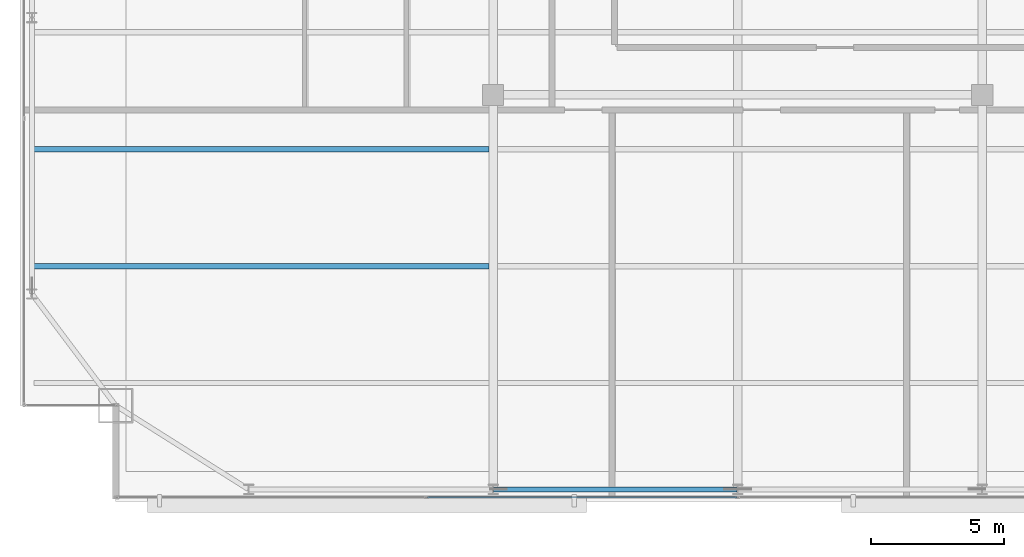
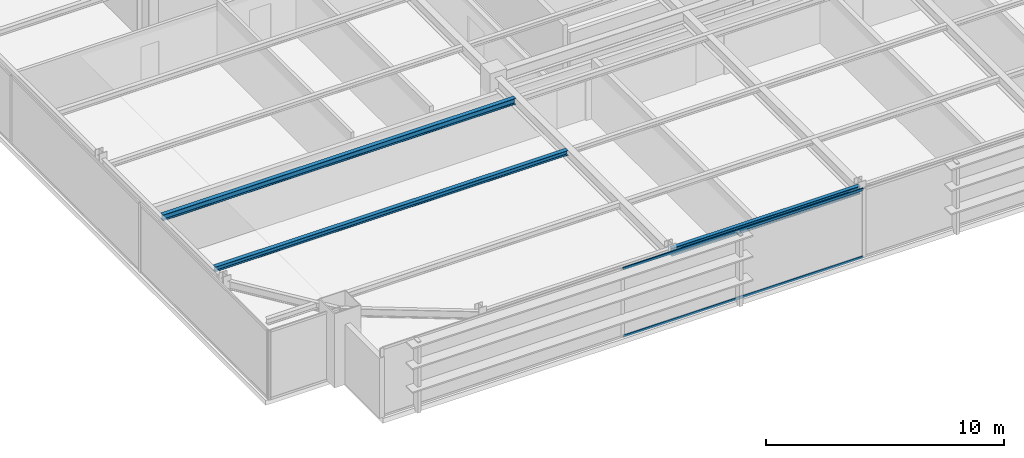
# One storey, part 8 of 29: 3 beams, 2 members, 1 element without a shape of its own.
"""IFC4 building model written with IfcOpenShell, lengths in metres."""

import ifcopenshell
import ifcopenshell.guid

model = None  # the IFC model being written
_history = None  # IfcOwnerHistory: only IFC2X3 demands one
_inside = {}  # id of a spatial element -> (the spatial element, [elements in it])
_under = {}  # id of a project, library or spatial element -> (it, [spatial elements below it])
_declared = {}  # id of a project -> (the project, [libraries it declares])
_typed = {}  # id of a type object -> (the type object, [elements of that type])
_made_of = {}  # id of a material, layer set ... -> (it, [elements and type objects made of it])


def new_model(schema):
    """Start an empty IFC model of exactly this schema.

    Asked for "IFC4X3", IfcOpenShell would pick the latest addendum, in which some entities
    have other attributes; the version numbers below select the first issue.
    IFC2X3 requires an IfcOwnerHistory on every rooted entity: one is made here for all.
    """
    global model, _history
    if schema == "IFC4X3":
        model = ifcopenshell.file(schema_version=(4, 3, 0, 0))
    else:
        model = ifcopenshell.file(schema=schema)
    _inside.clear()
    _under.clear()
    _declared.clear()
    _typed.clear()
    _made_of.clear()
    _history = None
    if model.schema == "IFC2X3":
        org = make("IfcOrganization", Name="unknown")
        user = make(
            "IfcPersonAndOrganization",
            ThePerson=make("IfcPerson", FamilyName="unknown"),
            TheOrganization=org,
        )
        app = make(
            "IfcApplication",
            ApplicationDeveloper=org,
            Version="unknown",
            ApplicationFullName="unknown",
            ApplicationIdentifier="unknown",
        )
        _history = make(
            "IfcOwnerHistory",
            OwningUser=user,
            OwningApplication=app,
            ChangeAction="ADDED",
            CreationDate=0,
        )
    return model


def make(cls, **values):
    """One entity of the class cls with the attributes given. An attribute that is None is left unset."""
    return model.create_entity(
        cls, **{name: value for name, value in values.items() if value is not None}
    )


def rooted(cls, **values):
    """An entity with a GlobalId (a new one), such as an element, a storey or a relation."""
    return make(cls, GlobalId=ifcopenshell.guid.new(), OwnerHistory=_history, **values)


def si_unit(unit_type, name, prefix=None):
    """IfcSIUnit, for example si_unit("LENGTHUNIT", "METRE", prefix="MILLI")."""
    return make("IfcSIUnit", UnitType=unit_type, Prefix=prefix, Name=name)


def assignment(units):
    """IfcUnitAssignment: the units of a project."""
    return None if units is None else make("IfcUnitAssignment", Units=units)


def point(xyz):
    """IfcCartesianPoint."""
    return None if xyz is None else make("IfcCartesianPoint", Coordinates=xyz)


def direction(xyz):
    """IfcDirection."""
    return None if xyz is None else make("IfcDirection", DirectionRatios=xyz)


def frame(location, z_axis=None, x_axis=None):
    """IfcAxis2Placement3D, a coordinate frame: its origin and axes. An axis left out is left unset."""
    return make(
        "IfcAxis2Placement3D",
        Location=point(location),
        Axis=direction(z_axis),
        RefDirection=direction(x_axis),
    )


def frame_2d(location, x_axis=None):
    """IfcAxis2Placement2D, a coordinate frame in the plane: its origin and x axis."""
    return make(
        "IfcAxis2Placement2D", Location=point(location), RefDirection=direction(x_axis)
    )


def origin():
    """The frame at (0, 0, 0) with its axes left unset."""
    return frame((0.0, 0.0, 0.0))


def origin_2d():
    """The frame at (0, 0) in the plane with its x axis left unset."""
    return frame_2d((0.0, 0.0))


def place(relative_to, where):
    """IfcLocalPlacement: puts the frame where relative to a parent placement (None: the world)."""
    return make(
        "IfcLocalPlacement", PlacementRelTo=relative_to, RelativePlacement=where
    )


def context(
    kind, dimensions, precision=None, world=None, true_north=None, identifier=None
):
    """IfcGeometricRepresentationContext, for example the 3D "Model" context."""
    return make(
        "IfcGeometricRepresentationContext",
        ContextIdentifier=identifier,
        ContextType=kind,
        CoordinateSpaceDimension=dimensions,
        Precision=precision,
        WorldCoordinateSystem=world,
        TrueNorth=true_north,
    )


def subcontext(parent, identifier, kind, view, scale=None):
    """IfcGeometricRepresentationSubContext, for example "Body" below "Model"."""
    return make(
        "IfcGeometricRepresentationSubContext",
        ContextIdentifier=identifier,
        ContextType=kind,
        ParentContext=parent,
        TargetScale=scale,
        TargetView=view,
    )


def project(units=None, contexts=None):
    """IfcProject with its units and contexts."""
    return rooted(
        "IfcProject",
        Name="project",
        RepresentationContexts=contexts,
        UnitsInContext=assignment(units),
    )


def spatial(cls, under=None, at=None, **own):
    """A site, building, storey or space (cls), placed at a placement, below another one or the project."""
    s = rooted(cls, ObjectPlacement=at, **own)
    if under is not None:
        _under.setdefault(under.id(), (under, []))[1].append(s)
    return s


def profile(cls, at=None, kind="AREA", **sizes):
    """A parametric profile (cls). Its sizes go by their IFC names, for example OverallWidth=200.0."""
    return make(cls, ProfileType=kind, Position=at, **sizes)


def hollow_rectangle(**sizes):
    """IfcRectangleHollowProfileDef."""
    return profile("IfcRectangleHollowProfileDef", **sizes)


def i_section(**sizes):
    """IfcIShapeProfileDef."""
    return profile("IfcIShapeProfileDef", **sizes)


def extrude(swept, where, along, depth):
    """IfcExtrudedAreaSolid: the profile swept, set in the frame where, extruded along a direction by depth."""
    return make(
        "IfcExtrudedAreaSolid",
        SweptArea=swept,
        Position=where,
        ExtrudedDirection=direction(along),
        Depth=depth,
    )


def shape(context_of_items, identifier, shape_type, items):
    """IfcShapeRepresentation: the items that make up one representation, for example the "Body"."""
    return make(
        "IfcShapeRepresentation",
        ContextOfItems=context_of_items,
        RepresentationIdentifier=identifier,
        RepresentationType=shape_type,
        Items=items,
    )


def source(mapping_origin, context_of_items, identifier, shape_type, items):
    """IfcRepresentationMap: a shape defined once, which mapped items show again and again."""
    return make(
        "IfcRepresentationMap",
        MappingOrigin=mapping_origin,
        MappedRepresentation=shape(context_of_items, identifier, shape_type, items),
    )


def transform(
    local_origin,
    x_axis=None,
    y_axis=None,
    z_axis=None,
    scale=None,
    scale2=None,
    scale3=None,
    uniform=True,
):
    """IfcCartesianTransformationOperator3D, or its non-uniform kind. x_axis, y_axis, z_axis: its Axis1, 2, 3."""
    if uniform:
        return make(
            "IfcCartesianTransformationOperator3D",
            Axis1=direction(x_axis),
            Axis2=direction(y_axis),
            LocalOrigin=point(local_origin),
            Scale=scale,
            Axis3=direction(z_axis),
        )
    return make(
        "IfcCartesianTransformationOperator3DnonUniform",
        Axis1=direction(x_axis),
        Axis2=direction(y_axis),
        LocalOrigin=point(local_origin),
        Scale=scale,
        Axis3=direction(z_axis),
        Scale2=scale2,
        Scale3=scale3,
    )


def mapped(mapping_source, mapping_target):
    """IfcMappedItem: shows the shape of a source again, moved by a transform."""
    return make(
        "IfcMappedItem", MappingSource=mapping_source, MappingTarget=mapping_target
    )


def material(Name=None, Category=None):
    """IfcMaterial."""
    return make("IfcMaterial", Name=Name, Category=Category)


def layer(
    of_material, thickness, ventilated=None, Name=None, Category=None, Priority=None
):
    """IfcMaterialLayer: one layer of a wall or slab, of a material (None: an air gap)."""
    return make(
        "IfcMaterialLayer",
        Material=of_material,
        LayerThickness=thickness,
        IsVentilated=ventilated,
        Name=Name,
        Category=Category,
        Priority=Priority,
    )


def layer_set(layers, Name=None):
    """IfcMaterialLayerSet."""
    return make("IfcMaterialLayerSet", MaterialLayers=layers, LayerSetName=Name)


def material_profile(
    of_material, cross_section, Name=None, Category=None, Priority=None
):
    """IfcMaterialProfile: a cross section and its material."""
    return make(
        "IfcMaterialProfile",
        Name=Name,
        Material=of_material,
        Profile=cross_section,
        Priority=Priority,
        Category=Category,
    )


def profile_set(profiles, Name=None, composite=None):
    """IfcMaterialProfileSet."""
    return make(
        "IfcMaterialProfileSet",
        Name=Name,
        MaterialProfiles=profiles,
        CompositeProfile=composite,
    )


def made_of(thing, what):
    """Note that an element or type object is made of a material, layer set ...; save() writes the relation."""
    if what is not None:
        _made_of.setdefault(what.id(), (what, []))[1].append(thing)
    return thing


def type_object(cls, material=None, **own):
    """A type object (cls), such as IfcWallType, which elements share."""
    return made_of(rooted(cls, **own), material)


def type_shapes(of_type, sources):
    """Give a type object the sources (RepresentationMaps) that its elements show as mapped items."""
    of_type.RepresentationMaps = sources


def element(
    cls,
    number,
    at=None,
    inside=None,
    cuts=None,
    type_object=None,
    material=None,
    context=None,
    identifier="Body",
    shape_type=None,
    held_by="IfcProductDefinitionShape",
    body=None,
    shapes=None,
    **own,
):
    """One element of the class cls, such as IfcWall. Its Tag is "e" and its number.

    at: its placement. inside: the storey or other place that contains it. cuts: it is an
    opening in that element (IfcRelVoidsElement). A single representation is given by context,
    identifier, shape_type and body (its items); several are given by shapes. held_by: the class
    of the entity that holds the representations. save() writes the other relations.
    """
    e = rooted(cls, Tag="e%d" % number, ObjectPlacement=at, **own)
    if body is not None:
        shapes = [shape(context, identifier, shape_type, body)]
    if shapes is not None:
        e.Representation = make(held_by, Representations=shapes)
    if inside is not None:
        _inside.setdefault(inside.id(), (inside, []))[1].append(e)
    if cuts is not None:
        rooted(
            "IfcRelVoidsElement", RelatingBuildingElement=cuts, RelatedOpeningElement=e
        )
    if type_object is not None:
        _typed.setdefault(type_object.id(), (type_object, []))[1].append(e)
    return made_of(e, material)


def aggregate(whole, parts):
    """IfcRelAggregates: a whole, such as a stair, and the parts it consists of."""
    return rooted("IfcRelAggregates", RelatingObject=whole, RelatedObjects=parts)


def save(model, path):
    """Write the relations noted so far, then the file.

    IfcRelAggregates (storeys below a building ...), IfcRelContainedInSpatialStructure (elements
    in a storey), IfcRelDefinesByType, IfcRelAssociatesMaterial and IfcRelDeclares: one each for
    every whole, place, type object, material and project.
    """
    for whole, parts in _under.values():
        aggregate(whole, parts)
    for where, things in _inside.values():
        rooted(
            "IfcRelContainedInSpatialStructure",
            RelatedElements=things,
            RelatingStructure=where,
        )
    for kind, things in _typed.values():
        rooted("IfcRelDefinesByType", RelatedObjects=things, RelatingType=kind)
    for what, things in _made_of.values():
        rooted("IfcRelAssociatesMaterial", RelatedObjects=things, RelatingMaterial=what)
    for by, libraries in _declared.values():
        rooted("IfcRelDeclares", RelatingContext=by, RelatedDefinitions=libraries)
    model.write(path)


model = new_model("IFC4")

# Units and contexts
model_context = context("Model", 3, precision=1e-05, world=origin(), true_north=direction((0.0, 1.0)))
body_context = subcontext(model_context, "Body", "Model", "MODEL_VIEW")
ifc_project = project(units=[si_unit("LENGTHUNIT", "METRE"), si_unit("AREAUNIT", "SQUARE_METRE"), si_unit("VOLUMEUNIT", "CUBIC_METRE"), si_unit("PLANEANGLEUNIT", "RADIAN"), si_unit("MASSUNIT", "GRAM", prefix="KILO")], contexts=[model_context])

# Site, building, storey
site_placement = place(None, origin())
site = spatial("IfcSite", under=ifc_project, at=site_placement, CompositionType="ELEMENT")
building_placement = place(site_placement, origin())
building = spatial("IfcBuilding", under=site, at=building_placement, Name="Varnel Quay Broadcast Tower", CompositionType="ELEMENT")
storey_placement = place(building_placement, frame((0.0, 0.0, 187.60009765625)))
storey = spatial("IfcBuildingStorey", under=building, at=storey_placement, Name="L46", CompositionType="ELEMENT", Elevation=187.60009765625)

# Beams
ifc_material_1 = material(Name="Structural Steel CSA G40.21 350W", Category="steel")
ifc_material_profile_1 = material_profile(ifc_material_1, i_section(OverallWidth=0.180908203125, OverallDepth=0.4169921875, WebThickness=0.010986328125, FlangeThickness=0.018310546875, FilletRadius=0.011962890625, at=origin_2d()), Name="W410X85")
ifc_profile_set_1 = profile_set([ifc_material_profile_1], Name="Structural Steel CSA G40.21 350W")
beam_type_1 = type_object("IfcBeamType", Name="Beam_W410X85", PredefinedType="SPANDREL", material=ifc_profile_set_1)
shared_shape_1 = source(origin(), body_context, "Body", "SweptSolid", [
    extrude(i_section(OverallWidth=0.180908203125, OverallDepth=0.4169921875, WebThickness=0.010986328125, FlangeThickness=0.018310546875, FilletRadius=0.011962890625, at=origin_2d()), origin(), (0.0, 0.0, 1.0), 9.159912109375),
])
type_shapes(beam_type_1, [shared_shape_1])
beam_1_placement = place(storey_placement, frame((24.820068359375, 7.64990234375, 3.3115234375), z_axis=(1.0, 0.0, 0.0), x_axis=(0.0, 1.0, 0.0)))
element("IfcBeam", 1, at=beam_1_placement, inside=storey, type_object=beam_type_1, Name="L46 South Spandrel TC-S2-TC-S3", PredefinedType="SPANDREL", context=body_context, shape_type="MappedRepresentation", body=[
    mapped(shared_shape_1, transform((0.0, 0.0, 0.0), x_axis=(1.0, 0.0, 0.0), y_axis=(0.0, 1.0, 0.0), z_axis=(0.0, 0.0, 1.0), scale=1.0)),
])
ifc_material_profile_2 = material_profile(ifc_material_1, i_section(OverallWidth=0.202880859375, OverallDepth=0.302978515625, WebThickness=0.007568359375, FlangeThickness=0.01318359375, FilletRadius=0.011962890625, at=origin_2d()), Name="W310X60")
ifc_profile_set_2 = profile_set([ifc_material_profile_2], Name="Structural Steel CSA G40.21 350W")
beam_type_2 = type_object("IfcBeamType", Name="Beam_W310X60", PredefinedType="JOIST", material=ifc_profile_set_2)
shared_shape_2 = source(origin(), body_context, "Body", "SweptSolid", [
    extrude(i_section(OverallWidth=0.202880859375, OverallDepth=0.302978515625, WebThickness=0.007568359375, FlangeThickness=0.01318359375, FilletRadius=0.011962890625, at=origin_2d()), origin(), (0.0, 0.0, 1.0), 17.107177734375),
])
type_shapes(beam_type_2, [shared_shape_2])
beam_2_placement = place(storey_placement, frame((7.535400390625, 20.449951171875, 3.368408203125), z_axis=(1.0, 0.0, 0.0), x_axis=(0.0, 1.0, 0.0)))
element("IfcBeam", 2, at=beam_2_placement, inside=storey, type_object=beam_type_2, Name="L46 West Floor Joist 3", PredefinedType="JOIST", context=body_context, shape_type="MappedRepresentation", body=[
    mapped(shared_shape_2, transform((0.0, 0.0, 0.0), x_axis=(1.0, 0.0, 0.0), y_axis=(0.0, 1.0, 0.0), z_axis=(0.0, 0.0, 1.0), scale=1.0)),
])
ifc_material_profile_3 = material_profile(ifc_material_1, i_section(OverallWidth=0.201904296875, OverallDepth=0.2470703125, WebThickness=0.00732421875, FlangeThickness=0.010986328125, FilletRadius=0.010986328125, at=origin_2d()), Name="W250X49")
ifc_profile_set_3 = profile_set([ifc_material_profile_3], Name="Structural Steel CSA G40.21 350W")
beam_type_3 = type_object("IfcBeamType", Name="Beam_W250X49", PredefinedType="JOIST", material=ifc_profile_set_3)
shared_shape_3 = source(origin(), body_context, "Body", "SweptSolid", [
    extrude(i_section(OverallWidth=0.201904296875, OverallDepth=0.2470703125, WebThickness=0.00732421875, FlangeThickness=0.010986328125, FilletRadius=0.010986328125, at=origin_2d()), origin(), (0.0, 0.0, 1.0), 17.107177734375),
])
type_shapes(beam_type_3, [shared_shape_3])
beam_3_placement = place(storey_placement, frame((7.535400390625, 16.050048828125, 3.396484375), z_axis=(1.0, 0.0, 0.0), x_axis=(0.0, 1.0, 0.0)))
element("IfcBeam", 3, at=beam_3_placement, inside=storey, type_object=beam_type_3, Name="L46 West Floor Joist 2", PredefinedType="JOIST", context=body_context, shape_type="MappedRepresentation", body=[
    mapped(shared_shape_3, transform((0.0, 0.0, 0.0), x_axis=(1.0, 0.0, 0.0), y_axis=(0.0, 1.0, 0.0), z_axis=(0.0, 0.0, 1.0), scale=1.0)),
])

# Curtain wall, members
ifc_material_2 = material(Name="Anodised Bronze Aluminium 6063-T6", Category="aluminium")
ifc_layer = layer(ifc_material_2, 0.18994140625, Name="Anodised Bronze Aluminium 6063-T6")
ifc_layer_set = layer_set([ifc_layer], Name="Anodised Bronze Aluminium 6063-T6")
curtain_wall_type = type_object("IfcCurtainWallType", Name="CW_UpperTower", PredefinedType="NOTDEFINED", material=ifc_layer_set)
curtain_wall_placement = place(storey_placement, origin())
curtain_wall = element("IfcCurtainWall", 4, at=curtain_wall_placement, inside=storey, type_object=curtain_wall_type, Name="L46 South Unitised Curtain Wall 1", PredefinedType="NOTDEFINED")
ifc_material_profile_4 = material_profile(ifc_material_2, hollow_rectangle(XDim=0.06005859375, YDim=0.125, WallThickness=0.0029296875, at=origin_2d()), Name="ALU60X125X3")
ifc_profile_set_4 = profile_set([ifc_material_profile_4], Name="Anodised Bronze Aluminium 6063-T6")
member_type = type_object("IfcMemberType", Name="Tran_CWS-03", PredefinedType="USERDEFINED", material=ifc_profile_set_4)
shared_shape_4 = source(origin(), body_context, "Body", "SweptSolid", [
    extrude(hollow_rectangle(XDim=0.06005859375, YDim=0.125, WallThickness=0.0029296875, at=origin_2d()), origin(), (0.0, 0.0, 1.0), 11.635009765625),
])
type_shapes(member_type, [shared_shape_4])
member_1_placement = place(storey_placement, frame((22.33251953125, 7.35009765625, 0.02978515625), z_axis=(1.0, 0.0, 0.0), x_axis=(0.0, 1.0, 0.0)))
member_1 = element("IfcMember", 5, at=member_1_placement, type_object=member_type, Name="CWS-03 transom 2.1", ObjectType="TRANSOM", PredefinedType="USERDEFINED", context=body_context, shape_type="MappedRepresentation", body=[
    mapped(shared_shape_4, transform((0.0, 0.0, 0.0), x_axis=(1.0, 0.0, 0.0), y_axis=(0.0, 1.0, 0.0), z_axis=(0.0, 0.0, 1.0), scale=1.0)),
])
member_2_placement = place(storey_placement, frame((22.33251953125, 7.35009765625, 3.489990234375), z_axis=(1.0, 0.0, 0.0), x_axis=(0.0, 1.0, 0.0)))
member_2 = element("IfcMember", 6, at=member_2_placement, type_object=member_type, Name="CWS-03 transom 2.2", ObjectType="TRANSOM", PredefinedType="USERDEFINED", context=body_context, shape_type="MappedRepresentation", body=[
    mapped(shared_shape_4, transform((0.0, 0.0, 0.0), x_axis=(1.0, 0.0, 0.0), y_axis=(0.0, 1.0, 0.0), z_axis=(0.0, 0.0, 1.0), scale=1.0)),
])
aggregate(curtain_wall, [member_1, member_2])

save(model, "model.ifc")
